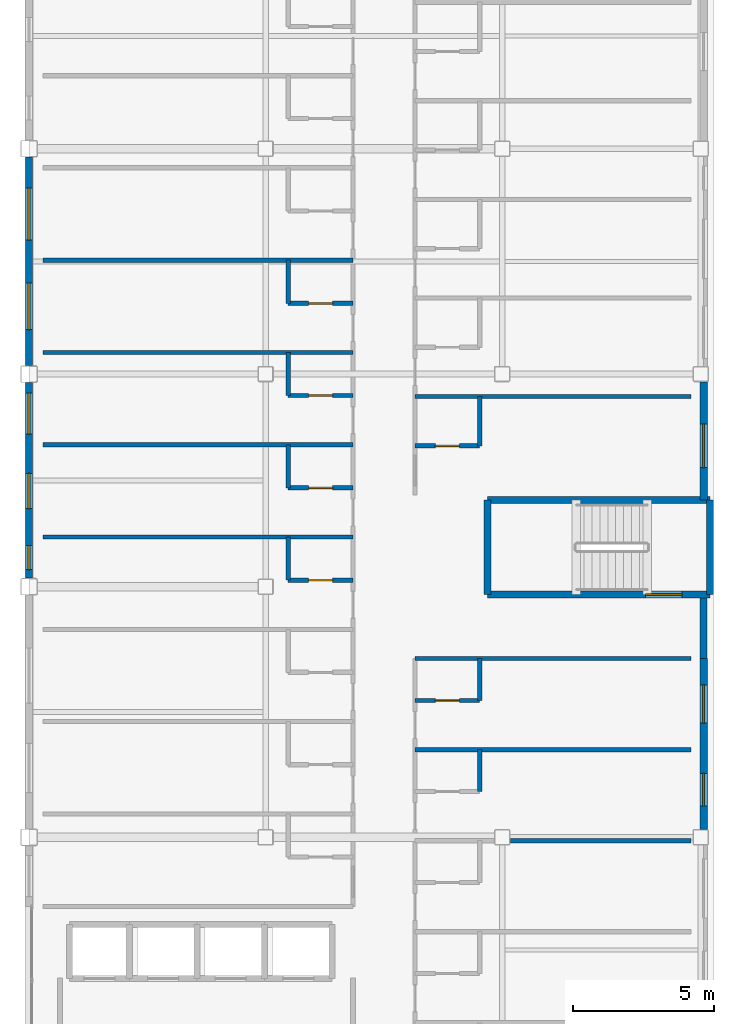
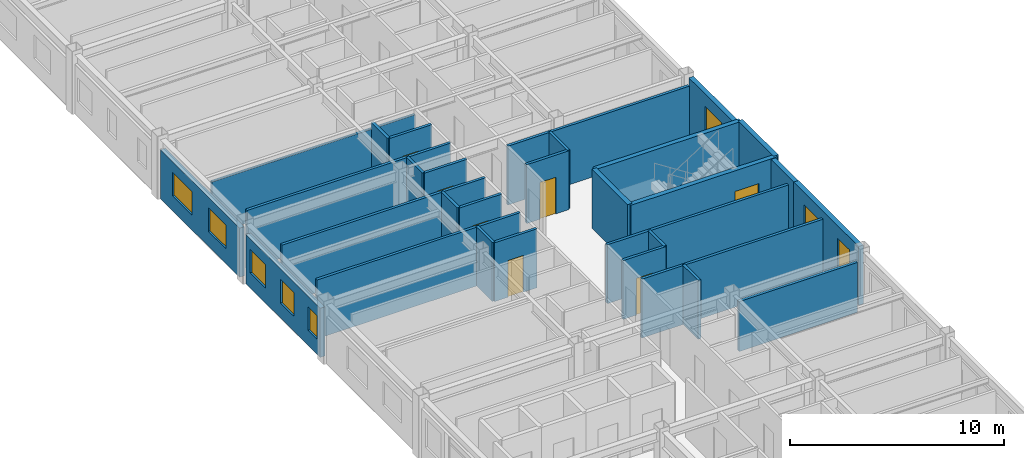
# One storey, part 30 of 36: 30 walls, 8 windows, 7 doors, 15 openings.
"""IFC4 building model written with IfcOpenShell, lengths in metres."""

from ifc_helpers import new_model, si_unit, direction, frame, frame_2d, origin, place, context, subcontext, project, spatial, rectangle, extrude, material, layer, layer_set, type_object, element, fill, save


model = new_model("IFC4")

# Units and contexts
model_context = context("Model", 3, precision=1e-05, world=origin(), true_north=direction((0.0, 1.0)))
body_context = subcontext(model_context, "Body", "Model", "MODEL_VIEW")
ifc_project = project(units=[si_unit("LENGTHUNIT", "METRE"), si_unit("AREAUNIT", "SQUARE_METRE"), si_unit("VOLUMEUNIT", "CUBIC_METRE"), si_unit("PLANEANGLEUNIT", "RADIAN"), si_unit("MASSUNIT", "GRAM", prefix="KILO")], contexts=[model_context])

# Site, building, storey
site_placement = place(None, origin())
site = spatial("IfcSite", under=ifc_project, at=site_placement, CompositionType="ELEMENT")
building_placement = place(site_placement, origin())
building = spatial("IfcBuilding", under=site, at=building_placement, Name="Kazehara Bluff Congress Hotel", CompositionType="ELEMENT")
storey_placement = place(building_placement, frame((0.0, 0.0, 28.199951171875)))
storey = spatial("IfcBuildingStorey", under=building, at=storey_placement, Name="L06", CompositionType="ELEMENT", Elevation=28.199951171875)

# Walls
ifc_material_1 = material(Name="Concrete C40/50", Category="concrete")
ifc_layer_1 = layer(ifc_material_1, 0.25)
ifc_layer_set_1 = layer_set([ifc_layer_1], Name="Concrete C40/50")
wall_type_1 = type_object("IfcWallType", Name="TP-CW-RC", PredefinedType="SHEAR", material=ifc_layer_set_1)
for number, where, z_axis, x_axis, name in (
    (1, (167.875, 76.425048828125, 0.0), (0.0, 0.0, 1.0), (0.0, -1.0, 0.0), "L06 ST-12 core wall near"),
    (2, (159.97509765625, 73.074951171875, 0.0), (0.0, 0.0, 1.0), (0.0, 1.0, 0.0), "L06 ST-12 core wall far"),
):
    element("IfcWall", number, at=place(storey_placement, frame(where, z_axis=z_axis, x_axis=x_axis)), inside=storey, type_object=wall_type_1, Name=name, PredefinedType="SHEAR", context=body_context, shape_type="SweptSolid", body=[
        extrude(rectangle(XDim=3.35009765625, YDim=0.25, at=frame_2d((1.675048828125, 0.0))), origin(), (0.0, 0.0, 1.0), 3.380126953125),
    ])
wall_1_placement = place(storey_placement, frame((159.97509765625, 76.425048828125, 0.0), z_axis=(0.0, 0.0, 1.0), x_axis=(1.0, 0.0, 0.0)))
element("IfcWall", 3, at=wall_1_placement, inside=storey, type_object=wall_type_1, Name="L06 ST-12 core wall left", PredefinedType="SHEAR", context=body_context, shape_type="SweptSolid", body=[
    extrude(rectangle(XDim=7.89990234375, YDim=0.25, at=frame_2d((3.949951171875, 0.0))), origin(), (0.0, 0.0, 1.0), 3.380126953125),
])

# Wall, opening, door
wall_2_placement = place(storey_placement, frame((167.875, 73.074951171875, 0.0), z_axis=(0.0, 0.0, 1.0), x_axis=(-1.0, 0.0, 0.0)))
wall_2 = element("IfcWall", 4, at=wall_2_placement, inside=storey, type_object=wall_type_1, Name="L06 ST-12 core wall right", PredefinedType="SHEAR", context=body_context, shape_type="SweptSolid", body=[
    extrude(rectangle(XDim=7.89990234375, YDim=0.25, at=frame_2d((3.949951171875, 0.0))), origin(), (0.0, 0.0, 1.0), 3.380126953125),
])
opening_1_placement = place(wall_2_placement, frame((0.985107421875, 0.0, 0.0)))
opening_1 = element("IfcOpeningElement", 5, at=opening_1_placement, cuts=wall_2, Name="Opening FD-01", PredefinedType="OPENING", context=body_context, shape_type="SweptSolid", body=[
    extrude(rectangle(XDim=1.300048828125, YDim=2.199951171875, at=frame_2d((0.64990234375, 1.10009765625))), frame((0.0, 0.135009765625, 0.0), z_axis=(0.0, -1.0, 0.0), x_axis=(1.0, 0.0, 0.0)), (0.0, 0.0, 1.0), 0.27001953125),
])
ifc_material_2 = material(Name="Fire-rated painted steel leaf", Category="steel")
door_type_1 = type_object("IfcDoorType", Name="TP-FD-01", OperationType="NOTDEFINED", PredefinedType="DOOR", material=ifc_material_2)
door_1_placement = place(opening_1_placement, origin())
door_1 = element("IfcDoor", 6, at=door_1_placement, inside=storey, type_object=door_type_1, Name="L06 ST-12 fire stair door", OperationType="SINGLE_SWING_RIGHT", OverallHeight=2.199951171875, OverallWidth=1.300048828125, PredefinedType="DOOR", context=body_context, shape_type="SweptSolid", body=[
    extrude(rectangle(XDim=1.300048828125, YDim=2.199951171875, at=frame_2d((0.64990234375, 1.10009765625))), frame((0.0, 0.02490234375, 0.0), z_axis=(0.0, -1.0, 0.0), x_axis=(1.0, 0.0, 0.0)), (0.0, 0.0, 1.0), 0.050048828125),
])
fill(opening_1, door_1)

# Wall
ifc_material_3 = material(Name="Precast concrete C40/50", Category="concrete")
ifc_layer_2 = layer(ifc_material_3, 0.239990234375)
ifc_layer_set_2 = layer_set([ifc_layer_2], Name="Precast concrete C40/50")
wall_type_2 = type_object("IfcWallType", Name="TP-EW-240", PredefinedType="SOLIDWALL", material=ifc_layer_set_2)
wall_3_placement = place(storey_placement, frame((167.64990234375, 72.93994140625, 0.0), z_axis=(0.0, 0.0, 1.0), x_axis=(0.0, -1.0, 0.0)))
element("IfcWall", 7, at=wall_3_placement, inside=storey, type_object=wall_type_2, Name="L06 V5 perimeter spandrel pier 739", PredefinedType="SOLIDWALL", context=body_context, shape_type="SweptSolid", body=[
    extrude(rectangle(XDim=2.139892578125, YDim=0.239990234375, at=frame_2d((1.06982421875, 0.0))), origin(), (0.0, 0.0, 1.0), 3.364990234375),
])

# Wall, openings, windows
ifc_material_4 = material(Name="Precast concrete C40/50", Category="concrete")
ifc_layer_3 = layer(ifc_material_4, 0.260009765625)
ifc_layer_set_3 = layer_set([ifc_layer_3], Name="Precast concrete C40/50")
wall_type_3 = type_object("IfcWallType", Name="TP-EW-260", PredefinedType="SOLIDWALL", material=ifc_layer_set_3)
wall_4_placement = place(storey_placement, frame((167.64990234375, 70.800048828125, 0.0), z_axis=(0.0, 0.0, 1.0), x_axis=(0.0, -1.0, 0.0)))
wall_4 = element("IfcWall", 8, at=wall_4_placement, inside=storey, type_object=wall_type_3, Name="L06 hotel facade panel 74", PredefinedType="SOLIDWALL", context=body_context, shape_type="SweptSolid", body=[
    extrude(rectangle(XDim=6.074951171875, YDim=0.260009765625, at=frame_2d((3.03759765625, 0.0))), origin(), (0.0, 0.0, 1.0), 3.364990234375),
])
opening_2_placement = place(wall_4_placement, frame((4.080078125, 0.0, 0.85009765625)))
opening_2 = element("IfcOpeningElement", 9, at=opening_2_placement, cuts=wall_4, Name="Opening WN-04", PredefinedType="OPENING", context=body_context, shape_type="SweptSolid", body=[
    extrude(rectangle(XDim=1.14990234375, YDim=1.800048828125, at=frame_2d((0.574951171875, 0.89990234375))), frame((0.0, 0.139892578125, 0.0), z_axis=(0.0, -1.0, 0.0), x_axis=(1.0, 0.0, 0.0)), (0.0, 0.0, 1.0), 0.280029296875),
])
opening_3_placement = place(wall_4_placement, frame((0.93994140625, 0.0, 0.85009765625)))
opening_3 = element("IfcOpeningElement", 10, at=opening_3_placement, cuts=wall_4, Name="Opening WN-14", PredefinedType="OPENING", context=body_context, shape_type="SweptSolid", body=[
    extrude(rectangle(XDim=1.35009765625, YDim=1.800048828125, at=frame_2d((0.675048828125, 0.89990234375))), frame((0.0, 0.139892578125, 0.0), z_axis=(0.0, -1.0, 0.0), x_axis=(1.0, 0.0, 0.0)), (0.0, 0.0, 1.0), 0.280029296875),
])
ifc_material_5 = material(Name="Insulated low-E double glazing", Category="glass")
window_type_1 = type_object("IfcWindowType", Name="TP-WN-04", PartitioningType="SINGLE_PANEL", PredefinedType="WINDOW", material=ifc_material_5)
window_1_placement = place(opening_2_placement, origin())
window_1 = element("IfcWindow", 11, at=window_1_placement, inside=storey, type_object=window_type_1, Name="L06 guestroom window WN-04 137", OverallHeight=1.800048828125, OverallWidth=1.14990234375, PartitioningType="SINGLE_PANEL", PredefinedType="WINDOW", context=body_context, shape_type="SweptSolid", body=[
    extrude(rectangle(XDim=1.14990234375, YDim=1.800048828125, at=frame_2d((0.574951171875, 0.89990234375))), frame((0.0, 0.030029296875, 0.0), z_axis=(0.0, -1.0, 0.0), x_axis=(1.0, 0.0, 0.0)), (0.0, 0.0, 1.0), 0.06005859375),
])
fill(opening_2, window_1)
ifc_material_6 = material(Name="Insulated low-E double glazing", Category="glass")
window_type_2 = type_object("IfcWindowType", Name="TP-WN-14", PartitioningType="SINGLE_PANEL", PredefinedType="WINDOW", material=ifc_material_6)
window_2_placement = place(opening_3_placement, origin())
window_2 = element("IfcWindow", 12, at=window_2_placement, inside=storey, type_object=window_type_2, Name="L06 guestroom window WN-14 138", OverallHeight=1.800048828125, OverallWidth=1.35009765625, PartitioningType="SINGLE_PANEL", PredefinedType="WINDOW", context=body_context, shape_type="SweptSolid", body=[
    extrude(rectangle(XDim=1.35009765625, YDim=1.800048828125, at=frame_2d((0.675048828125, 0.89990234375))), frame((0.0, 0.030029296875, 0.0), z_axis=(0.0, -1.0, 0.0), x_axis=(1.0, 0.0, 0.0)), (0.0, 0.0, 1.0), 0.06005859375),
])
fill(opening_3, window_2)

# Wall, opening, window
wall_5_placement = place(storey_placement, frame((167.64990234375, 80.625, 0.0), z_axis=(0.0, 0.0, 1.0), x_axis=(0.0, -1.0, 0.0)))
wall_5 = element("IfcWall", 13, at=wall_5_placement, inside=storey, type_object=wall_type_3, Name="L06 hotel facade panel 75", PredefinedType="SOLIDWALL", context=body_context, shape_type="SweptSolid", body=[
    extrude(rectangle(XDim=4.199951171875, YDim=0.260009765625, at=frame_2d((2.10009765625, 0.0))), origin(), (0.0, 0.0, 1.0), 3.364990234375),
])
opening_4_placement = place(wall_5_placement, frame((1.5, 0.0, 0.85009765625)))
opening_4 = element("IfcOpeningElement", 14, at=opening_4_placement, cuts=wall_5, Name="Opening WN-24", PredefinedType="OPENING", context=body_context, shape_type="SweptSolid", body=[
    extrude(rectangle(XDim=1.550048828125, YDim=1.800048828125, at=frame_2d((0.77490234375, 0.89990234375))), frame((0.0, 0.139892578125, 0.0), z_axis=(0.0, -1.0, 0.0), x_axis=(1.0, 0.0, 0.0)), (0.0, 0.0, 1.0), 0.280029296875),
])
ifc_material_7 = material(Name="Insulated low-E double glazing", Category="glass")
window_type_3 = type_object("IfcWindowType", Name="TP-WN-24", PartitioningType="SINGLE_PANEL", PredefinedType="WINDOW", material=ifc_material_7)
window_3_placement = place(opening_4_placement, origin())
window_3 = element("IfcWindow", 15, at=window_3_placement, inside=storey, type_object=window_type_3, Name="L06 guestroom window WN-24 139", OverallHeight=1.800048828125, OverallWidth=1.550048828125, PartitioningType="SINGLE_PANEL", PredefinedType="WINDOW", context=body_context, shape_type="SweptSolid", body=[
    extrude(rectangle(XDim=1.550048828125, YDim=1.800048828125, at=frame_2d((0.77490234375, 0.89990234375))), frame((0.0, 0.030029296875, 0.0), z_axis=(0.0, -1.0, 0.0), x_axis=(1.0, 0.0, 0.0)), (0.0, 0.0, 1.0), 0.06005859375),
])
fill(opening_4, window_3)

# Wall, openings, windows
wall_6_placement = place(storey_placement, frame((143.699951171875, 73.64990234375, 0.0), z_axis=(0.0, 0.0, 1.0), x_axis=(0.0, 1.0, 0.0)))
wall_6 = element("IfcWall", 16, at=wall_6_placement, inside=storey, type_object=wall_type_3, Name="L06 hotel facade panel 86", PredefinedType="SOLIDWALL", context=body_context, shape_type="SweptSolid", body=[
    extrude(rectangle(XDim=6.9501953125, YDim=0.260009765625, at=frame_2d((3.47509765625, 0.0))), origin(), (0.0, 0.0, 1.0), 2.804931640625),
])
opening_5_placement = place(wall_6_placement, frame((0.304931640625, 0.0, 0.85009765625)))
opening_5 = element("IfcOpeningElement", 17, at=opening_5_placement, cuts=wall_6, Name="Opening WN-55", PredefinedType="OPENING", context=body_context, shape_type="SweptSolid", body=[
    extrude(rectangle(XDim=0.85009765625, YDim=1.35009765625, at=frame_2d((0.425048828125, 0.675048828125))), frame((0.0, 0.139892578125, 0.0), z_axis=(0.0, -1.0, 0.0), x_axis=(1.0, 0.0, 0.0)), (0.0, 0.0, 1.0), 0.280029296875),
])
opening_6_placement = place(wall_6_placement, frame((2.469970703125, 0.0, 0.85009765625)))
opening_6 = element("IfcOpeningElement", 18, at=opening_6_placement, cuts=wall_6, Name="Opening WN-06", PredefinedType="OPENING", context=body_context, shape_type="SweptSolid", body=[
    extrude(rectangle(XDim=1.25, YDim=1.35009765625, at=frame_2d((0.625, 0.675048828125))), frame((0.0, 0.139892578125, 0.0), z_axis=(0.0, -1.0, 0.0), x_axis=(1.0, 0.0, 0.0)), (0.0, 0.0, 1.0), 0.280029296875),
])
opening_7_placement = place(wall_6_placement, frame((5.1201171875, 0.0, 0.85009765625)))
opening_7 = element("IfcOpeningElement", 19, at=opening_7_placement, cuts=wall_6, Name="Opening WN-16", PredefinedType="OPENING", context=body_context, shape_type="SweptSolid", body=[
    extrude(rectangle(XDim=1.449951171875, YDim=1.35009765625, at=frame_2d((0.72509765625, 0.675048828125))), frame((0.0, 0.139892578125, 0.0), z_axis=(0.0, -1.0, 0.0), x_axis=(1.0, 0.0, 0.0)), (0.0, 0.0, 1.0), 0.280029296875),
])
ifc_material_8 = material(Name="Insulated low-E double glazing", Category="glass")
window_type_4 = type_object("IfcWindowType", Name="TP-WN-06", PartitioningType="SINGLE_PANEL", PredefinedType="WINDOW", material=ifc_material_8)
window_4_placement = place(opening_6_placement, origin())
window_4 = element("IfcWindow", 20, at=window_4_placement, inside=storey, type_object=window_type_4, Name="L06 guestroom window WN-06 158", OverallHeight=1.35009765625, OverallWidth=1.25, PartitioningType="SINGLE_PANEL", PredefinedType="WINDOW", context=body_context, shape_type="SweptSolid", body=[
    extrude(rectangle(XDim=1.25, YDim=1.35009765625, at=frame_2d((0.625, 0.675048828125))), frame((0.0, 0.030029296875, 0.0), z_axis=(0.0, -1.0, 0.0), x_axis=(1.0, 0.0, 0.0)), (0.0, 0.0, 1.0), 0.06005859375),
])
fill(opening_6, window_4)
ifc_material_9 = material(Name="Insulated low-E double glazing", Category="glass")
window_type_5 = type_object("IfcWindowType", Name="TP-WN-16", PartitioningType="SINGLE_PANEL", PredefinedType="WINDOW", material=ifc_material_9)
window_5_placement = place(opening_7_placement, origin())
window_5 = element("IfcWindow", 21, at=window_5_placement, inside=storey, type_object=window_type_5, Name="L06 guestroom window WN-16 159", OverallHeight=1.35009765625, OverallWidth=1.449951171875, PartitioningType="SINGLE_PANEL", PredefinedType="WINDOW", context=body_context, shape_type="SweptSolid", body=[
    extrude(rectangle(XDim=1.449951171875, YDim=1.35009765625, at=frame_2d((0.72509765625, 0.675048828125))), frame((0.0, 0.030029296875, 0.0), z_axis=(0.0, -1.0, 0.0), x_axis=(1.0, 0.0, 0.0)), (0.0, 0.0, 1.0), 0.06005859375),
])
fill(opening_7, window_5)
ifc_material_10 = material(Name="Insulated low-E double glazing", Category="glass")
window_type_6 = type_object("IfcWindowType", Name="TP-WN-55", PartitioningType="SINGLE_PANEL", PredefinedType="WINDOW", material=ifc_material_10)
window_6_placement = place(opening_5_placement, origin())
window_6 = element("IfcWindow", 22, at=window_6_placement, inside=storey, type_object=window_type_6, Name="L06 guestroom window WN-55 157", OverallHeight=1.35009765625, OverallWidth=0.85009765625, PartitioningType="SINGLE_PANEL", PredefinedType="WINDOW", context=body_context, shape_type="SweptSolid", body=[
    extrude(rectangle(XDim=0.85009765625, YDim=1.35009765625, at=frame_2d((0.425048828125, 0.675048828125))), frame((0.0, 0.030029296875, 0.0), z_axis=(0.0, -1.0, 0.0), x_axis=(1.0, 0.0, 0.0)), (0.0, 0.0, 1.0), 0.06005859375),
])
fill(opening_5, window_6)

wall_7_placement = place(storey_placement, frame((143.699951171875, 81.199951171875, 0.0), z_axis=(0.0, 0.0, 1.0), x_axis=(0.0, 1.0, 0.0)))
wall_7 = element("IfcWall", 23, at=wall_7_placement, inside=storey, type_object=wall_type_3, Name="L06 hotel facade panel 87", PredefinedType="SOLIDWALL", context=body_context, shape_type="SweptSolid", body=[
    extrude(rectangle(XDim=7.400146484375, YDim=0.260009765625, at=frame_2d((3.7001953125, 0.0))), origin(), (0.0, 0.0, 1.0), 2.804931640625),
])
opening_8_placement = place(wall_7_placement, frame((1.27490234375, 0.0, 0.85009765625)))
opening_8 = element("IfcOpeningElement", 24, at=opening_8_placement, cuts=wall_7, Name="Opening WN-26", PredefinedType="OPENING", context=body_context, shape_type="SweptSolid", body=[
    extrude(rectangle(XDim=1.64990234375, YDim=1.35009765625, at=frame_2d((0.824951171875, 0.675048828125))), frame((0.0, 0.139892578125, 0.0), z_axis=(0.0, -1.0, 0.0), x_axis=(1.0, 0.0, 0.0)), (0.0, 0.0, 1.0), 0.280029296875),
])
opening_9_placement = place(wall_7_placement, frame((4.449951171875, 0.0, 0.85009765625)))
opening_9 = element("IfcOpeningElement", 25, at=opening_9_placement, cuts=wall_7, Name="Opening WN-36", PredefinedType="OPENING", context=body_context, shape_type="SweptSolid", body=[
    extrude(rectangle(XDim=1.85009765625, YDim=1.35009765625, at=frame_2d((0.925048828125, 0.675048828125))), frame((0.0, 0.139892578125, 0.0), z_axis=(0.0, -1.0, 0.0), x_axis=(1.0, 0.0, 0.0)), (0.0, 0.0, 1.0), 0.280029296875),
])
ifc_material_11 = material(Name="Insulated low-E double glazing", Category="glass")
window_type_7 = type_object("IfcWindowType", Name="TP-WN-26", PartitioningType="SINGLE_PANEL", PredefinedType="WINDOW", material=ifc_material_11)
window_7_placement = place(opening_8_placement, origin())
window_7 = element("IfcWindow", 26, at=window_7_placement, inside=storey, type_object=window_type_7, Name="L06 guestroom window WN-26 160", OverallHeight=1.35009765625, OverallWidth=1.64990234375, PartitioningType="SINGLE_PANEL", PredefinedType="WINDOW", context=body_context, shape_type="SweptSolid", body=[
    extrude(rectangle(XDim=1.64990234375, YDim=1.35009765625, at=frame_2d((0.824951171875, 0.675048828125))), frame((0.0, 0.030029296875, 0.0), z_axis=(0.0, -1.0, 0.0), x_axis=(1.0, 0.0, 0.0)), (0.0, 0.0, 1.0), 0.06005859375),
])
fill(opening_8, window_7)
ifc_material_12 = material(Name="Insulated low-E double glazing", Category="glass")
window_type_8 = type_object("IfcWindowType", Name="TP-WN-36", PartitioningType="DOUBLE_PANEL_VERTICAL", PredefinedType="WINDOW", material=ifc_material_12)
window_8_placement = place(opening_9_placement, origin())
window_8 = element("IfcWindow", 27, at=window_8_placement, inside=storey, type_object=window_type_8, Name="L06 guestroom window WN-36 161", OverallHeight=1.35009765625, OverallWidth=1.85009765625, PartitioningType="SINGLE_PANEL", PredefinedType="WINDOW", context=body_context, shape_type="SweptSolid", body=[
    extrude(rectangle(XDim=1.85009765625, YDim=1.35009765625, at=frame_2d((0.925048828125, 0.675048828125))), frame((0.0, 0.030029296875, 0.0), z_axis=(0.0, -1.0, 0.0), x_axis=(1.0, 0.0, 0.0)), (0.0, 0.0, 1.0), 0.06005859375),
])
fill(opening_9, window_8)

# Walls
ifc_material_13 = material(Name="Fire-rated gypsum board stud partition")
ifc_layer_4 = layer(ifc_material_13, 0.14990234375)
ifc_layer_set_4 = layer_set([ifc_layer_4], Name="Fire-rated gypsum board stud partition")
wall_type_4 = type_object("IfcWallType", Name="TP-PT-150", PredefinedType="PARTITIONING", material=ifc_layer_set_4)
wall_8_placement = place(storey_placement, frame((160.794921875, 64.330078125, 0.0), z_axis=(0.0, 0.0, 1.0), x_axis=(1.0, 0.0, 0.0)))
element("IfcWall", 28, at=wall_8_placement, inside=storey, type_object=wall_type_4, Name="L06 partition PT-150 753", PredefinedType="PARTITIONING", context=body_context, shape_type="SweptSolid", body=[
    extrude(rectangle(XDim=6.405029296875, YDim=0.14990234375, at=frame_2d((3.20263671875, 0.0))), origin(), (0.0, 0.0, 1.0), 2.85498046875),
])
wall_9_placement = place(storey_placement, frame((157.39990234375, 67.56005859375, 0.0), z_axis=(0.0, 0.0, 1.0), x_axis=(1.0, 0.0, 0.0)))
element("IfcWall", 29, at=wall_9_placement, inside=storey, type_object=wall_type_4, Name="L06 partition PT-150 757", PredefinedType="PARTITIONING", context=body_context, shape_type="SweptSolid", body=[
    extrude(rectangle(XDim=9.800048828125, YDim=0.14990234375, at=frame_2d((4.89990234375, 0.0))), origin(), (0.0, 0.0, 1.0), 3.364990234375),
])

# Wall, opening, door
wall_10_placement = place(storey_placement, frame((157.39990234375, 69.31005859375, 0.0), z_axis=(0.0, 0.0, 1.0), x_axis=(1.0, 0.0, 0.0)))
wall_10 = element("IfcWall", 30, at=wall_10_placement, inside=storey, type_object=wall_type_4, Name="L06 partition PT-150 759", PredefinedType="PARTITIONING", context=body_context, shape_type="SweptSolid", body=[
    extrude(rectangle(XDim=2.300048828125, YDim=0.14990234375, at=frame_2d((1.14990234375, 0.0))), origin(), (0.0, 0.0, 1.0), 3.364990234375),
])
opening_10_placement = place(wall_10_placement, frame((0.72509765625, 0.0, 0.0)))
opening_10 = element("IfcOpeningElement", 31, at=opening_10_placement, cuts=wall_10, Name="Opening BD-01", PredefinedType="OPENING", context=body_context, shape_type="SweptSolid", body=[
    extrude(rectangle(XDim=0.85009765625, YDim=2.10009765625, at=frame_2d((0.425048828125, 1.050048828125))), frame((0.0, 0.0849609375, 0.0), z_axis=(0.0, -1.0, 0.0), x_axis=(1.0, 0.0, 0.0)), (0.0, 0.0, 1.0), 0.169921875),
])
ifc_material_14 = material(Name="Architectural oak veneer leaf")
door_type_2 = type_object("IfcDoorType", Name="TP-BD-01", OperationType="NOTDEFINED", PredefinedType="DOOR", material=ifc_material_14)
door_2_placement = place(opening_10_placement, origin())
door_2 = element("IfcDoor", 32, at=door_2_placement, inside=storey, type_object=door_type_2, Name="L06 En-suite Bathroom 158 door", OperationType="SINGLE_SWING_LEFT", OverallHeight=2.10009765625, OverallWidth=0.85009765625, PredefinedType="DOOR", context=body_context, shape_type="SweptSolid", body=[
    extrude(rectangle(XDim=0.85009765625, YDim=2.10009765625, at=frame_2d((0.425048828125, 1.050048828125))), frame((0.0, 0.02490234375, 0.0), z_axis=(0.0, -1.0, 0.0), x_axis=(1.0, 0.0, 0.0)), (0.0, 0.0, 1.0), 0.050048828125),
])
fill(opening_10, door_2)

# Wall
wall_11_placement = place(storey_placement, frame((157.39990234375, 70.800048828125, 0.0), z_axis=(0.0, 0.0, 1.0), x_axis=(1.0, 0.0, 0.0)))
element("IfcWall", 33, at=wall_11_placement, inside=storey, type_object=wall_type_4, Name="L06 partition PT-150 761", PredefinedType="PARTITIONING", context=body_context, shape_type="SweptSolid", body=[
    extrude(rectangle(XDim=9.800048828125, YDim=0.14990234375, at=frame_2d((4.89990234375, 0.0))), origin(), (0.0, 0.0, 1.0), 3.364990234375),
])

# Wall, opening, door
wall_12_placement = place(storey_placement, frame((152.89990234375, 73.580078125, 0.0), z_axis=(0.0, 0.0, 1.0), x_axis=(1.0, 0.0, 0.0)))
wall_12 = element("IfcWall", 34, at=wall_12_placement, inside=storey, type_object=wall_type_4, Name="L06 partition PT-150 763", PredefinedType="PARTITIONING", context=body_context, shape_type="SweptSolid", body=[
    extrude(rectangle(XDim=2.300048828125, YDim=0.14990234375, at=frame_2d((1.14990234375, 0.0))), origin(), (0.0, 0.0, 1.0), 3.364990234375),
])
opening_11_placement = place(wall_12_placement, frame((0.72509765625, 0.0, 0.0)))
opening_11 = element("IfcOpeningElement", 35, at=opening_11_placement, cuts=wall_12, Name="Opening BD-01", PredefinedType="OPENING", context=body_context, shape_type="SweptSolid", body=[
    extrude(rectangle(XDim=0.85009765625, YDim=2.10009765625, at=frame_2d((0.425048828125, 1.050048828125))), frame((0.0, 0.0849609375, 0.0), z_axis=(0.0, -1.0, 0.0), x_axis=(1.0, 0.0, 0.0)), (0.0, 0.0, 1.0), 0.169921875),
])
door_3_placement = place(opening_11_placement, origin())
door_3 = element("IfcDoor", 36, at=door_3_placement, inside=storey, type_object=door_type_2, Name="L06 En-suite Bathroom 129 door", OperationType="SINGLE_SWING_LEFT", OverallHeight=2.10009765625, OverallWidth=0.85009765625, PredefinedType="DOOR", context=body_context, shape_type="SweptSolid", body=[
    extrude(rectangle(XDim=0.85009765625, YDim=2.10009765625, at=frame_2d((0.425048828125, 1.050048828125))), frame((0.0, 0.02490234375, 0.0), z_axis=(0.0, -1.0, 0.0), x_axis=(1.0, 0.0, 0.0)), (0.0, 0.0, 1.0), 0.050048828125),
])
fill(opening_11, door_3)

# Wall
wall_13_placement = place(storey_placement, frame((144.199951171875, 75.110107421875, 0.0), z_axis=(0.0, 0.0, 1.0), x_axis=(1.0, 0.0, 0.0)))
element("IfcWall", 37, at=wall_13_placement, inside=storey, type_object=wall_type_4, Name="L06 partition PT-150 764", PredefinedType="PARTITIONING", context=body_context, shape_type="SweptSolid", body=[
    extrude(rectangle(XDim=11.0, YDim=0.14990234375, at=frame_2d((5.5, 0.0))), origin(), (0.0, 0.0, 1.0), 3.364990234375),
])

# Wall, opening, door
wall_14_placement = place(storey_placement, frame((152.89990234375, 76.860107421875, 0.0), z_axis=(0.0, 0.0, 1.0), x_axis=(1.0, 0.0, 0.0)))
wall_14 = element("IfcWall", 38, at=wall_14_placement, inside=storey, type_object=wall_type_4, Name="L06 partition PT-150 765", PredefinedType="PARTITIONING", context=body_context, shape_type="SweptSolid", body=[
    extrude(rectangle(XDim=2.300048828125, YDim=0.14990234375, at=frame_2d((1.14990234375, 0.0))), origin(), (0.0, 0.0, 1.0), 3.364990234375),
])
opening_12_placement = place(wall_14_placement, frame((0.72509765625, 0.0, 0.0)))
opening_12 = element("IfcOpeningElement", 39, at=opening_12_placement, cuts=wall_14, Name="Opening BD-01", PredefinedType="OPENING", context=body_context, shape_type="SweptSolid", body=[
    extrude(rectangle(XDim=0.85009765625, YDim=2.10009765625, at=frame_2d((0.425048828125, 1.050048828125))), frame((0.0, 0.0849609375, 0.0), z_axis=(0.0, -1.0, 0.0), x_axis=(1.0, 0.0, 0.0)), (0.0, 0.0, 1.0), 0.169921875),
])
door_4_placement = place(opening_12_placement, origin())
door_4 = element("IfcDoor", 40, at=door_4_placement, inside=storey, type_object=door_type_2, Name="L06 En-suite Bathroom 130 door", OperationType="SINGLE_SWING_LEFT", OverallHeight=2.10009765625, OverallWidth=0.85009765625, PredefinedType="DOOR", context=body_context, shape_type="SweptSolid", body=[
    extrude(rectangle(XDim=0.85009765625, YDim=2.10009765625, at=frame_2d((0.425048828125, 1.050048828125))), frame((0.0, 0.02490234375, 0.0), z_axis=(0.0, -1.0, 0.0), x_axis=(1.0, 0.0, 0.0)), (0.0, 0.0, 1.0), 0.050048828125),
])
fill(opening_12, door_4)

wall_15_placement = place(storey_placement, frame((157.39990234375, 78.35009765625, 0.0), z_axis=(0.0, 0.0, 1.0), x_axis=(1.0, 0.0, 0.0)))
wall_15 = element("IfcWall", 41, at=wall_15_placement, inside=storey, type_object=wall_type_4, Name="L06 partition PT-150 766", PredefinedType="PARTITIONING", context=body_context, shape_type="SweptSolid", body=[
    extrude(rectangle(XDim=2.300048828125, YDim=0.14990234375, at=frame_2d((1.14990234375, 0.0))), origin(), (0.0, 0.0, 1.0), 3.364990234375),
])
opening_13_placement = place(wall_15_placement, frame((0.72509765625, 0.0, 0.0)))
opening_13 = element("IfcOpeningElement", 42, at=opening_13_placement, cuts=wall_15, Name="Opening BD-01", PredefinedType="OPENING", context=body_context, shape_type="SweptSolid", body=[
    extrude(rectangle(XDim=0.85009765625, YDim=2.10009765625, at=frame_2d((0.425048828125, 1.050048828125))), frame((0.0, 0.0849609375, 0.0), z_axis=(0.0, -1.0, 0.0), x_axis=(1.0, 0.0, 0.0)), (0.0, 0.0, 1.0), 0.169921875),
])
door_5_placement = place(opening_13_placement, origin())
door_5 = element("IfcDoor", 43, at=door_5_placement, inside=storey, type_object=door_type_2, Name="L06 En-suite Bathroom 159 door", OperationType="SINGLE_SWING_LEFT", OverallHeight=2.10009765625, OverallWidth=0.85009765625, PredefinedType="DOOR", context=body_context, shape_type="SweptSolid", body=[
    extrude(rectangle(XDim=0.85009765625, YDim=2.10009765625, at=frame_2d((0.425048828125, 1.050048828125))), frame((0.0, 0.02490234375, 0.0), z_axis=(0.0, -1.0, 0.0), x_axis=(1.0, 0.0, 0.0)), (0.0, 0.0, 1.0), 0.050048828125),
])
fill(opening_13, door_5)

# Walls
wall_16_placement = place(storey_placement, frame((144.199951171875, 78.389892578125, 0.0), z_axis=(0.0, 0.0, 1.0), x_axis=(1.0, 0.0, 0.0)))
element("IfcWall", 44, at=wall_16_placement, inside=storey, type_object=wall_type_4, Name="L06 partition PT-150 767", PredefinedType="PARTITIONING", context=body_context, shape_type="SweptSolid", body=[
    extrude(rectangle(XDim=11.0, YDim=0.14990234375, at=frame_2d((5.5, 0.0))), origin(), (0.0, 0.0, 1.0), 3.364990234375),
])
wall_17_placement = place(storey_placement, frame((157.39990234375, 80.10009765625, 0.0), z_axis=(0.0, 0.0, 1.0), x_axis=(1.0, 0.0, 0.0)))
element("IfcWall", 45, at=wall_17_placement, inside=storey, type_object=wall_type_4, Name="L06 partition PT-150 768", PredefinedType="PARTITIONING", context=body_context, shape_type="SweptSolid", body=[
    extrude(rectangle(XDim=9.800048828125, YDim=0.14990234375, at=frame_2d((4.89990234375, 0.0))), origin(), (0.0, 0.0, 1.0), 3.364990234375),
])

# Wall, opening, door
wall_18_placement = place(storey_placement, frame((152.89990234375, 80.139892578125, 0.0), z_axis=(0.0, 0.0, 1.0), x_axis=(1.0, 0.0, 0.0)))
wall_18 = element("IfcWall", 46, at=wall_18_placement, inside=storey, type_object=wall_type_4, Name="L06 partition PT-150 769", PredefinedType="PARTITIONING", context=body_context, shape_type="SweptSolid", body=[
    extrude(rectangle(XDim=2.300048828125, YDim=0.14990234375, at=frame_2d((1.14990234375, 0.0))), origin(), (0.0, 0.0, 1.0), 3.364990234375),
])
opening_14_placement = place(wall_18_placement, frame((0.72509765625, 0.0, 0.0)))
opening_14 = element("IfcOpeningElement", 47, at=opening_14_placement, cuts=wall_18, Name="Opening BD-01", PredefinedType="OPENING", context=body_context, shape_type="SweptSolid", body=[
    extrude(rectangle(XDim=0.85009765625, YDim=2.10009765625, at=frame_2d((0.425048828125, 1.050048828125))), frame((0.0, 0.0849609375, 0.0), z_axis=(0.0, -1.0, 0.0), x_axis=(1.0, 0.0, 0.0)), (0.0, 0.0, 1.0), 0.169921875),
])
door_6_placement = place(opening_14_placement, origin())
door_6 = element("IfcDoor", 48, at=door_6_placement, inside=storey, type_object=door_type_2, Name="L06 En-suite Bathroom 131 door", OperationType="SINGLE_SWING_LEFT", OverallHeight=2.10009765625, OverallWidth=0.85009765625, PredefinedType="DOOR", context=body_context, shape_type="SweptSolid", body=[
    extrude(rectangle(XDim=0.85009765625, YDim=2.10009765625, at=frame_2d((0.425048828125, 1.050048828125))), frame((0.0, 0.02490234375, 0.0), z_axis=(0.0, -1.0, 0.0), x_axis=(1.0, 0.0, 0.0)), (0.0, 0.0, 1.0), 0.050048828125),
])
fill(opening_14, door_6)

# Wall
wall_19_placement = place(storey_placement, frame((144.199951171875, 81.659912109375, 0.0), z_axis=(0.0, 0.0, 1.0), x_axis=(1.0, 0.0, 0.0)))
element("IfcWall", 49, at=wall_19_placement, inside=storey, type_object=wall_type_4, Name="L06 partition PT-150 770", PredefinedType="PARTITIONING", context=body_context, shape_type="SweptSolid", body=[
    extrude(rectangle(XDim=11.0, YDim=0.14990234375, at=frame_2d((5.5, 0.0))), origin(), (0.0, 0.0, 1.0), 3.364990234375),
])

# Wall, opening, door
wall_20_placement = place(storey_placement, frame((152.89990234375, 83.409912109375, 0.0), z_axis=(0.0, 0.0, 1.0), x_axis=(1.0, 0.0, 0.0)))
wall_20 = element("IfcWall", 50, at=wall_20_placement, inside=storey, type_object=wall_type_4, Name="L06 partition PT-150 772", PredefinedType="PARTITIONING", context=body_context, shape_type="SweptSolid", body=[
    extrude(rectangle(XDim=2.300048828125, YDim=0.14990234375, at=frame_2d((1.14990234375, 0.0))), origin(), (0.0, 0.0, 1.0), 3.364990234375),
])
opening_15_placement = place(wall_20_placement, frame((0.72509765625, 0.0, 0.0)))
opening_15 = element("IfcOpeningElement", 51, at=opening_15_placement, cuts=wall_20, Name="Opening BD-01", PredefinedType="OPENING", context=body_context, shape_type="SweptSolid", body=[
    extrude(rectangle(XDim=0.85009765625, YDim=2.10009765625, at=frame_2d((0.425048828125, 1.050048828125))), frame((0.0, 0.0849609375, 0.0), z_axis=(0.0, -1.0, 0.0), x_axis=(1.0, 0.0, 0.0)), (0.0, 0.0, 1.0), 0.169921875),
])
door_7_placement = place(opening_15_placement, origin())
door_7 = element("IfcDoor", 52, at=door_7_placement, inside=storey, type_object=door_type_2, Name="L06 En-suite Bathroom 132 door", OperationType="SINGLE_SWING_LEFT", OverallHeight=2.10009765625, OverallWidth=0.85009765625, PredefinedType="DOOR", context=body_context, shape_type="SweptSolid", body=[
    extrude(rectangle(XDim=0.85009765625, YDim=2.10009765625, at=frame_2d((0.425048828125, 1.050048828125))), frame((0.0, 0.02490234375, 0.0), z_axis=(0.0, -1.0, 0.0), x_axis=(1.0, 0.0, 0.0)), (0.0, 0.0, 1.0), 0.050048828125),
])
fill(opening_15, door_7)

# Walls
wall_21_placement = place(storey_placement, frame((144.199951171875, 84.93994140625, 0.0), z_axis=(0.0, 0.0, 1.0), x_axis=(1.0, 0.0, 0.0)))
element("IfcWall", 53, at=wall_21_placement, inside=storey, type_object=wall_type_4, Name="L06 partition PT-150 774", PredefinedType="PARTITIONING", context=body_context, shape_type="SweptSolid", body=[
    extrude(rectangle(XDim=11.0, YDim=0.14990234375, at=frame_2d((5.5, 0.0))), origin(), (0.0, 0.0, 1.0), 3.005126953125),
])
wall_22_placement = place(storey_placement, frame((152.89990234375, 73.580078125, 0.0), z_axis=(0.0, 0.0, 1.0), x_axis=(0.0, 1.0, 0.0)))
element("IfcWall", 54, at=wall_22_placement, inside=storey, type_object=wall_type_4, Name="L06 partition PT-150 811", PredefinedType="PARTITIONING", context=body_context, shape_type="SweptSolid", body=[
    extrude(rectangle(XDim=1.530029296875, YDim=0.14990234375, at=frame_2d((0.76513671875, 0.0))), origin(), (0.0, 0.0, 1.0), 3.364990234375),
])
for number, where, z_axis, x_axis, name in (
    (55, (152.89990234375, 76.860107421875, 0.0), (0.0, 0.0, 1.0), (0.0, 1.0, 0.0), "L06 partition PT-150 812"),
    (56, (152.89990234375, 80.135009765625, 0.0), (0.0, 0.0, 1.0), (0.0, 1.0, 0.0), "L06 partition PT-150 813"),
):
    element("IfcWall", number, at=place(storey_placement, frame(where, z_axis=z_axis, x_axis=x_axis)), inside=storey, type_object=wall_type_4, Name=name, PredefinedType="PARTITIONING", context=body_context, shape_type="SweptSolid", body=[
        extrude(rectangle(XDim=1.52490234375, YDim=0.14990234375, at=frame_2d((0.762451171875, 0.0))), origin(), (0.0, 0.0, 1.0), 3.364990234375),
    ])
wall_23_placement = place(storey_placement, frame((152.89990234375, 83.409912109375, 0.0), z_axis=(0.0, 0.0, 1.0), x_axis=(0.0, 1.0, 0.0)))
element("IfcWall", 57, at=wall_23_placement, inside=storey, type_object=wall_type_4, Name="L06 partition PT-150 814", PredefinedType="PARTITIONING", context=body_context, shape_type="SweptSolid", body=[
    extrude(rectangle(XDim=1.530029296875, YDim=0.14990234375, at=frame_2d((0.76513671875, 0.0))), origin(), (0.0, 0.0, 1.0), 3.364990234375),
])
wall_24_placement = place(storey_placement, frame((159.699951171875, 66.0849609375, 0.0), z_axis=(0.0, 0.0, 1.0), x_axis=(0.0, 1.0, 0.0)))
element("IfcWall", 58, at=wall_24_placement, inside=storey, type_object=wall_type_4, Name="L06 partition PT-150 849", PredefinedType="PARTITIONING", context=body_context, shape_type="SweptSolid", body=[
    extrude(rectangle(XDim=1.47998046875, YDim=0.14990234375, at=frame_2d((0.739990234375, 0.0))), origin(), (0.0, 0.0, 1.0), 3.364990234375),
])
wall_25_placement = place(storey_placement, frame((159.699951171875, 69.31494140625, 0.0), z_axis=(0.0, 0.0, 1.0), x_axis=(0.0, 1.0, 0.0)))
element("IfcWall", 59, at=wall_25_placement, inside=storey, type_object=wall_type_4, Name="L06 partition PT-150 850", PredefinedType="PARTITIONING", context=body_context, shape_type="SweptSolid", body=[
    extrude(rectangle(XDim=1.485107421875, YDim=0.14990234375, at=frame_2d((0.74267578125, 0.0))), origin(), (0.0, 0.0, 1.0), 3.364990234375),
])
wall_26_placement = place(storey_placement, frame((159.699951171875, 78.35009765625, 0.0), z_axis=(0.0, 0.0, 1.0), x_axis=(0.0, 1.0, 0.0)))
element("IfcWall", 60, at=wall_26_placement, inside=storey, type_object=wall_type_4, Name="L06 partition PT-150 851", PredefinedType="PARTITIONING", context=body_context, shape_type="SweptSolid", body=[
    extrude(rectangle(XDim=1.75, YDim=0.14990234375, at=frame_2d((0.875, 0.0))), origin(), (0.0, 0.0, 1.0), 3.364990234375),
])

save(model, "model.ifc")
